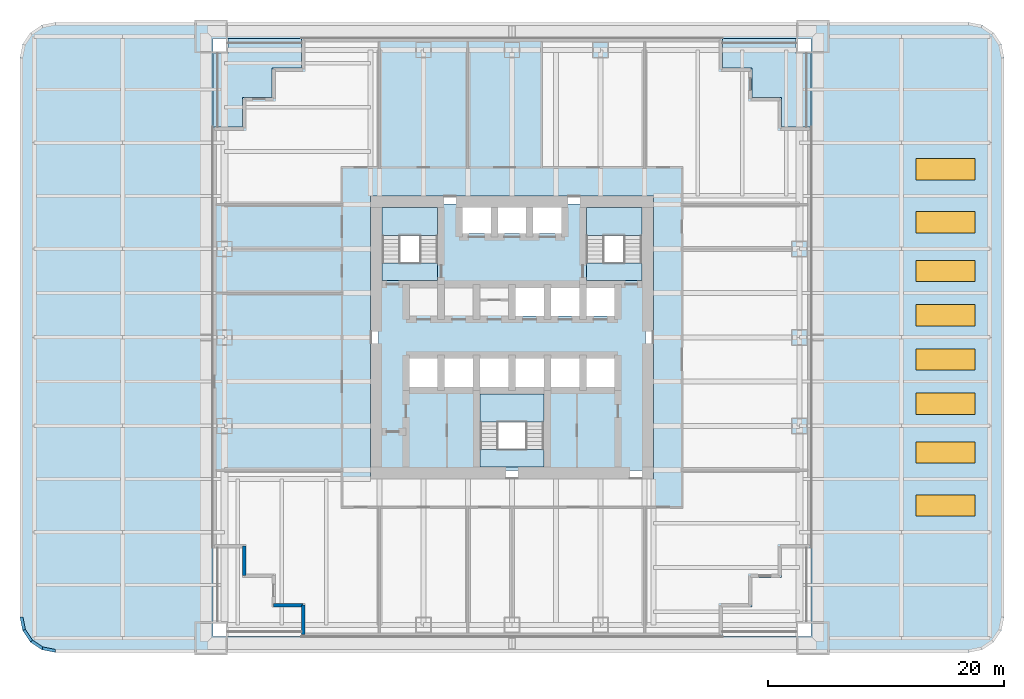
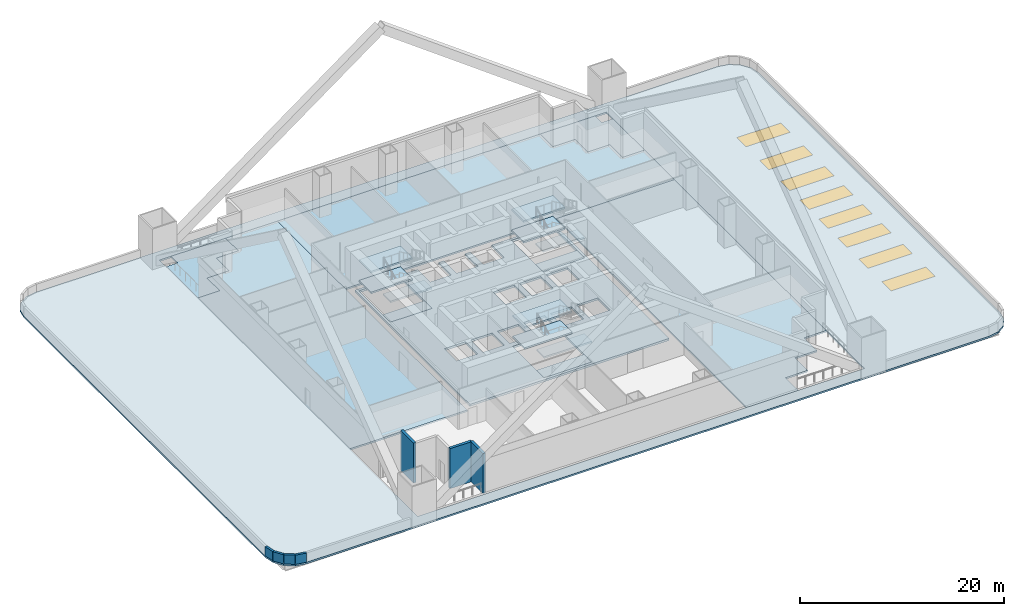
# One storey, part 3 of 10: 19 slabs, 8 windows, 7 walls, 8 openings, 3 elements without a shape of their own.
"""IFC4 building model written with IfcOpenShell, lengths in metres."""

from ifc_helpers import new_model, si_unit, direction, frame, frame_2d, origin, origin_2d, place, context, subcontext, project, spatial, polyline, rectangle, outline, extrude, material, layer, layer_set, type_object, element, fill, aggregate, save


model = new_model("IFC4")

# Units and contexts
model_context = context("Model", 3, precision=1e-05, world=origin(), true_north=direction((0.0, 1.0)))
body_context = subcontext(model_context, "Body", "Model", "MODEL_VIEW")
ifc_project = project(units=[si_unit("LENGTHUNIT", "METRE"), si_unit("AREAUNIT", "SQUARE_METRE"), si_unit("VOLUMEUNIT", "CUBIC_METRE"), si_unit("PLANEANGLEUNIT", "RADIAN"), si_unit("MASSUNIT", "GRAM", prefix="KILO")], contexts=[model_context])

# Site, building, storey
site_placement = place(None, origin())
site = spatial("IfcSite", under=ifc_project, at=site_placement, CompositionType="ELEMENT")
building_placement = place(site_placement, origin())
building = spatial("IfcBuilding", under=site, at=building_placement, Name="Tarangal Relay Tower", CompositionType="ELEMENT")
storey_placement = place(building_placement, frame((0.0, 0.0, 23.39990234375)))
storey = spatial("IfcBuildingStorey", under=building, at=storey_placement, Name="L04", CompositionType="ELEMENT", Elevation=23.39990234375)

# Slabs
ifc_material_1 = material(Name="Concrete fc' 35 MPa", Category="concrete")
ifc_layer_1 = layer(ifc_material_1, 0.25)
ifc_layer_set_1 = layer_set([ifc_layer_1], Name="Core floor slab 250")
slab_type_1 = type_object("IfcSlabType", Name="Core floor slab 250", PredefinedType="FLOOR", material=ifc_layer_set_1)
slab_1_placement = place(storey_placement, frame((0.0, 0.0, -0.25)))
element("IfcSlab", 1, at=slab_1_placement, inside=storey, type_object=slab_type_1, Name="Core floor slab L04", PredefinedType="FLOOR", context=body_context, shape_type="SweptSolid", body=[
    extrude(outline(polyline([(11.300048828125, 11.300048828125), (11.300048828125, -11.300048828125), (-11.300048828125, -11.300048828125), (-11.300048828125, 11.300048828125), (-4.199951171875, 11.300048828125), (-4.199951171875, 8.800048828125), (-1.800048828125, 8.800048828125), (-1.800048828125, 11.300048828125), (-1.199951171875, 11.300048828125), (-1.199951171875, 8.800048828125), (1.199951171875, 8.800048828125), (1.199951171875, 11.300048828125), (1.800048828125, 11.300048828125), (1.800048828125, 8.800048828125), (4.199951171875, 8.800048828125), (4.199951171875, 11.300048828125), (11.300048828125, 11.300048828125)]), holes=[polyline([(2.699951171875, -4.800048828125), (-2.699951171875, -4.800048828125), (-2.699951171875, -11.0), (2.699951171875, -11.0), (2.699951171875, -4.800048828125)]), polyline([(-6.300048828125, -4.199951171875), (-6.300048828125, -1.800048828125), (-8.699951171875, -1.800048828125), (-8.699951171875, -4.199951171875), (-6.300048828125, -4.199951171875)]), polyline([(-3.300048828125, -4.199951171875), (-3.300048828125, -1.800048828125), (-5.699951171875, -1.800048828125), (-5.699951171875, -4.199951171875), (-3.300048828125, -4.199951171875)]), polyline([(-0.300048828125, -4.199951171875), (-0.300048828125, -1.800048828125), (-2.699951171875, -1.800048828125), (-2.699951171875, -4.199951171875), (-0.300048828125, -4.199951171875)]), polyline([(2.699951171875, 1.800048828125), (2.699951171875, 4.199951171875), (0.300048828125, 4.199951171875), (0.300048828125, 1.800048828125), (2.699951171875, 1.800048828125)]), polyline([(-6.300048828125, 4.800048828125), (-6.300048828125, 11.0), (-11.0, 11.0), (-11.0, 4.800048828125), (-6.300048828125, 4.800048828125)]), polyline([(2.699951171875, -4.199951171875), (2.699951171875, -1.800048828125), (0.300048828125, -1.800048828125), (0.300048828125, -4.199951171875), (2.699951171875, -4.199951171875)]), polyline([(5.699951171875, -4.199951171875), (5.699951171875, -1.800048828125), (3.300048828125, -1.800048828125), (3.300048828125, -4.199951171875), (5.699951171875, -4.199951171875)]), polyline([(8.699951171875, -4.199951171875), (8.699951171875, -1.800048828125), (6.300048828125, -1.800048828125), (6.300048828125, -4.199951171875), (8.699951171875, -4.199951171875)]), polyline([(5.699951171875, 1.800048828125), (5.699951171875, 4.199951171875), (3.300048828125, 4.199951171875), (3.300048828125, 1.800048828125), (5.699951171875, 1.800048828125)]), polyline([(8.699951171875, 1.800048828125), (8.699951171875, 4.199951171875), (6.300048828125, 4.199951171875), (6.300048828125, 1.800048828125), (8.699951171875, 1.800048828125)]), polyline([(11.0, 4.800048828125), (11.0, 11.0), (6.300048828125, 11.0), (6.300048828125, 4.800048828125), (11.0, 4.800048828125)])]), origin(), (0.0, 0.0, 1.0), 0.25),
])
ifc_layer_2 = layer(ifc_material_1, 0.199951171875)
ifc_layer_set_2 = layer_set([ifc_layer_2], Name="Floor slab 200")
slab_type_2 = type_object("IfcSlabType", Name="Floor slab 200", PredefinedType="FLOOR", material=ifc_layer_set_2)
slab_2_placement = place(storey_placement, frame((0.0, 0.0, -0.199951171875)))
element("IfcSlab", 2, at=slab_2_placement, inside=storey, type_object=slab_type_2, Name="Floor slab FS2 L04 north bay", PredefinedType="FLOOR", context=body_context, shape_type="SweptSolid", body=[
    extrude(outline(polyline([(17.85009765625, 25.35009765625), (17.85009765625, 22.85009765625), (20.35009765625, 22.85009765625), (20.35009765625, 20.35009765625), (22.85009765625, 20.35009765625), (22.85009765625, 17.85009765625), (25.35009765625, 17.85009765625), (25.35009765625, 12.0), (-12.0, 12.0), (-12.0, 25.35009765625), (17.85009765625, 25.35009765625)])), origin(), (0.0, 0.0, 1.0), 0.199951171875),
])
slab_3_placement = place(storey_placement, frame((0.0, 0.0, -0.199951171875)))
element("IfcSlab", 3, at=slab_3_placement, inside=storey, type_object=slab_type_2, Name="Floor slab FS2 L04 east bay", PredefinedType="FLOOR", context=body_context, shape_type="SweptSolid", body=[
    extrude(outline(polyline([(25.35009765625, -17.85009765625), (22.85009765625, -17.85009765625), (22.85009765625, -20.35009765625), (20.35009765625, -20.35009765625), (20.35009765625, -22.85009765625), (17.85009765625, -22.85009765625), (17.85009765625, -25.35009765625), (12.0, -25.35009765625), (12.0, 12.0), (25.35009765625, 12.0), (25.35009765625, -17.85009765625)])), origin(), (0.0, 0.0, 1.0), 0.199951171875),
])
slab_4_placement = place(storey_placement, frame((0.0, 0.0, -0.199951171875)))
element("IfcSlab", 4, at=slab_4_placement, inside=storey, type_object=slab_type_2, Name="Floor slab FS2 L04 west bay", PredefinedType="FLOOR", context=body_context, shape_type="SweptSolid", body=[
    extrude(outline(polyline([(-12.0, 25.35009765625), (-12.0, -12.0), (-25.35009765625, -12.0), (-25.35009765625, 17.85009765625), (-22.85009765625, 17.85009765625), (-22.85009765625, 20.35009765625), (-20.35009765625, 20.35009765625), (-20.35009765625, 22.85009765625), (-17.85009765625, 22.85009765625), (-17.85009765625, 25.35009765625), (-12.0, 25.35009765625)])), origin(), (0.0, 0.0, 1.0), 0.199951171875),
])

# Slab, openings, windows
ifc_layer_3 = layer(ifc_material_1, 0.199951171875)
ifc_layer_set_3 = layer_set([ifc_layer_3], Name="Podium roof slab 200")
slab_type_3 = type_object("IfcSlabType", Name="Podium roof slab 200", PredefinedType="ROOF", material=ifc_layer_set_3)
slab_5_placement = place(storey_placement, frame((0.0, 0.0, -0.199951171875)))
slab_5 = element("IfcSlab", 5, at=slab_5_placement, inside=storey, type_object=slab_type_3, Name="Podium roof slab RS2", PredefinedType="ROOF", context=body_context, shape_type="SweptSolid", body=[
    extrude(outline(polyline([(41.699951171875, 23.699951171875), (41.4716796875, 24.84814453125), (40.8212890625, 25.8212890625), (39.84814453125, 26.4716796875), (38.699951171875, 26.699951171875), (-38.699951171875, 26.699951171875), (-39.84814453125, 26.4716796875), (-40.8212890625, 25.8212890625), (-41.4716796875, 24.84814453125), (-41.699951171875, 23.699951171875), (-41.699951171875, -23.699951171875), (-41.4716796875, -24.84814453125), (-40.8212890625, -25.8212890625), (-39.84814453125, -26.4716796875), (-38.699951171875, -26.699951171875), (38.699951171875, -26.699951171875), (39.84814453125, -26.4716796875), (40.8212890625, -25.8212890625), (41.4716796875, -24.84814453125), (41.699951171875, -23.699951171875), (41.699951171875, 23.699951171875)]), holes=[polyline([(-25.35009765625, -25.35009765625), (25.35009765625, -25.35009765625), (25.35009765625, 25.35009765625), (-25.35009765625, 25.35009765625), (-25.35009765625, -25.35009765625)])]), origin(), (0.0, 0.0, 1.0), 0.199951171875),
])
opening_1_placement = place(slab_5_placement, frame((36.75, -14.25, 0.0)))
opening_1 = element("IfcOpeningElement", 6, at=opening_1_placement, cuts=slab_5, Name="Opening SK1", PredefinedType="OPENING", context=body_context, shape_type="SweptSolid", body=[
    extrude(rectangle(XDim=5.0, YDim=1.800048828125, at=origin_2d()), frame((0.0, 0.0, -0.010009765625)), (0.0, 0.0, 1.0), 0.219970703125),
])
opening_2_placement = place(slab_5_placement, frame((36.75, -9.75, 0.0)))
opening_2 = element("IfcOpeningElement", 7, at=opening_2_placement, cuts=slab_5, Name="Opening SK1", PredefinedType="OPENING", context=body_context, shape_type="SweptSolid", body=[
    extrude(rectangle(XDim=5.0, YDim=1.800048828125, at=origin_2d()), frame((0.0, 0.0, -0.010009765625)), (0.0, 0.0, 1.0), 0.219970703125),
])
opening_3_placement = place(slab_5_placement, frame((36.75, -5.625, 0.0)))
opening_3 = element("IfcOpeningElement", 8, at=opening_3_placement, cuts=slab_5, Name="Opening SK1", PredefinedType="OPENING", context=body_context, shape_type="SweptSolid", body=[
    extrude(rectangle(XDim=5.0, YDim=1.800048828125, at=origin_2d()), frame((0.0, 0.0, -0.010009765625)), (0.0, 0.0, 1.0), 0.219970703125),
])
opening_4_placement = place(slab_5_placement, frame((36.75, -1.875, 0.0)))
opening_4 = element("IfcOpeningElement", 9, at=opening_4_placement, cuts=slab_5, Name="Opening SK1", PredefinedType="OPENING", context=body_context, shape_type="SweptSolid", body=[
    extrude(rectangle(XDim=5.0, YDim=1.800048828125, at=origin_2d()), frame((0.0, 0.0, -0.010009765625)), (0.0, 0.0, 1.0), 0.219970703125),
])
opening_5_placement = place(slab_5_placement, frame((36.75, 1.875, 0.0)))
opening_5 = element("IfcOpeningElement", 10, at=opening_5_placement, cuts=slab_5, Name="Opening SK1", PredefinedType="OPENING", context=body_context, shape_type="SweptSolid", body=[
    extrude(rectangle(XDim=5.0, YDim=1.800048828125, at=origin_2d()), frame((0.0, 0.0, -0.010009765625)), (0.0, 0.0, 1.0), 0.219970703125),
])
opening_6_placement = place(slab_5_placement, frame((36.75, 5.625, 0.0)))
opening_6 = element("IfcOpeningElement", 11, at=opening_6_placement, cuts=slab_5, Name="Opening SK1", PredefinedType="OPENING", context=body_context, shape_type="SweptSolid", body=[
    extrude(rectangle(XDim=5.0, YDim=1.800048828125, at=origin_2d()), frame((0.0, 0.0, -0.010009765625)), (0.0, 0.0, 1.0), 0.219970703125),
])
opening_7_placement = place(slab_5_placement, frame((36.75, 9.75, 0.0)))
opening_7 = element("IfcOpeningElement", 12, at=opening_7_placement, cuts=slab_5, Name="Opening SK1", PredefinedType="OPENING", context=body_context, shape_type="SweptSolid", body=[
    extrude(rectangle(XDim=5.0, YDim=1.800048828125, at=origin_2d()), frame((0.0, 0.0, -0.010009765625)), (0.0, 0.0, 1.0), 0.219970703125),
])
opening_8_placement = place(slab_5_placement, frame((36.75, 14.25, 0.0)))
opening_8 = element("IfcOpeningElement", 13, at=opening_8_placement, cuts=slab_5, Name="Opening SK1", PredefinedType="OPENING", context=body_context, shape_type="SweptSolid", body=[
    extrude(rectangle(XDim=5.0, YDim=1.800048828125, at=origin_2d()), frame((0.0, 0.0, -0.010009765625)), (0.0, 0.0, 1.0), 0.219970703125),
])
ifc_material_2 = material(Name="Dark tinted laminated glass", Category="glass")
window_type = type_object("IfcWindowType", Name="Skylight 5000 x 1800", PartitioningType="SINGLE_PANEL", PredefinedType="SKYLIGHT", material=ifc_material_2)
window_1_placement = place(opening_1_placement, frame((0.0, 0.0, 0.14990234375)))
window_1 = element("IfcWindow", 14, at=window_1_placement, inside=storey, type_object=window_type, Name="Atrium skylight SK1 1", OverallHeight=1.800048828125, OverallWidth=5.0, PartitioningType="SINGLE_PANEL", PredefinedType="SKYLIGHT", context=body_context, shape_type="SweptSolid", body=[
    extrude(rectangle(XDim=5.0, YDim=1.800048828125, at=origin_2d()), origin(), (0.0, 0.0, 1.0), 0.050048828125),
])
fill(opening_1, window_1)
window_2_placement = place(opening_2_placement, frame((0.0, 0.0, 0.14990234375)))
window_2 = element("IfcWindow", 15, at=window_2_placement, inside=storey, type_object=window_type, Name="Atrium skylight SK1 2", OverallHeight=1.800048828125, OverallWidth=5.0, PartitioningType="SINGLE_PANEL", PredefinedType="SKYLIGHT", context=body_context, shape_type="SweptSolid", body=[
    extrude(rectangle(XDim=5.0, YDim=1.800048828125, at=origin_2d()), origin(), (0.0, 0.0, 1.0), 0.050048828125),
])
fill(opening_2, window_2)
window_3_placement = place(opening_3_placement, frame((0.0, 0.0, 0.14990234375)))
window_3 = element("IfcWindow", 16, at=window_3_placement, inside=storey, type_object=window_type, Name="Atrium skylight SK1 3", OverallHeight=1.800048828125, OverallWidth=5.0, PartitioningType="SINGLE_PANEL", PredefinedType="SKYLIGHT", context=body_context, shape_type="SweptSolid", body=[
    extrude(rectangle(XDim=5.0, YDim=1.800048828125, at=origin_2d()), origin(), (0.0, 0.0, 1.0), 0.050048828125),
])
fill(opening_3, window_3)
window_4_placement = place(opening_4_placement, frame((0.0, 0.0, 0.14990234375)))
window_4 = element("IfcWindow", 17, at=window_4_placement, inside=storey, type_object=window_type, Name="Atrium skylight SK1 4", OverallHeight=1.800048828125, OverallWidth=5.0, PartitioningType="SINGLE_PANEL", PredefinedType="SKYLIGHT", context=body_context, shape_type="SweptSolid", body=[
    extrude(rectangle(XDim=5.0, YDim=1.800048828125, at=origin_2d()), origin(), (0.0, 0.0, 1.0), 0.050048828125),
])
fill(opening_4, window_4)
window_5_placement = place(opening_5_placement, frame((0.0, 0.0, 0.14990234375)))
window_5 = element("IfcWindow", 18, at=window_5_placement, inside=storey, type_object=window_type, Name="Atrium skylight SK1 5", OverallHeight=1.800048828125, OverallWidth=5.0, PartitioningType="SINGLE_PANEL", PredefinedType="SKYLIGHT", context=body_context, shape_type="SweptSolid", body=[
    extrude(rectangle(XDim=5.0, YDim=1.800048828125, at=origin_2d()), origin(), (0.0, 0.0, 1.0), 0.050048828125),
])
fill(opening_5, window_5)
window_6_placement = place(opening_6_placement, frame((0.0, 0.0, 0.14990234375)))
window_6 = element("IfcWindow", 19, at=window_6_placement, inside=storey, type_object=window_type, Name="Atrium skylight SK1 6", OverallHeight=1.800048828125, OverallWidth=5.0, PartitioningType="SINGLE_PANEL", PredefinedType="SKYLIGHT", context=body_context, shape_type="SweptSolid", body=[
    extrude(rectangle(XDim=5.0, YDim=1.800048828125, at=origin_2d()), origin(), (0.0, 0.0, 1.0), 0.050048828125),
])
fill(opening_6, window_6)
window_7_placement = place(opening_7_placement, frame((0.0, 0.0, 0.14990234375)))
window_7 = element("IfcWindow", 20, at=window_7_placement, inside=storey, type_object=window_type, Name="Atrium skylight SK1 7", OverallHeight=1.800048828125, OverallWidth=5.0, PartitioningType="SINGLE_PANEL", PredefinedType="SKYLIGHT", context=body_context, shape_type="SweptSolid", body=[
    extrude(rectangle(XDim=5.0, YDim=1.800048828125, at=origin_2d()), origin(), (0.0, 0.0, 1.0), 0.050048828125),
])
fill(opening_7, window_7)
window_8_placement = place(opening_8_placement, frame((0.0, 0.0, 0.14990234375)))
window_8 = element("IfcWindow", 21, at=window_8_placement, inside=storey, type_object=window_type, Name="Atrium skylight SK1 8", OverallHeight=1.800048828125, OverallWidth=5.0, PartitioningType="SINGLE_PANEL", PredefinedType="SKYLIGHT", context=body_context, shape_type="SweptSolid", body=[
    extrude(rectangle(XDim=5.0, YDim=1.800048828125, at=origin_2d()), origin(), (0.0, 0.0, 1.0), 0.050048828125),
])
fill(opening_8, window_8)

# Stair, slabs
ifc_material_3 = material(Name="Steel ASTM A992 stair flight", Category="steel")
stair_type = type_object("IfcStairType", Name="Core stair 1500", PredefinedType="HALF_TURN_STAIR", material=ifc_material_3)
stair_1_placement = place(storey_placement, origin())
stair_1 = element("IfcStair", 22, at=stair_1_placement, inside=storey, type_object=stair_type, Name="Stair ST-A L04", PredefinedType="HALF_TURN_STAIR")
ifc_layer_4 = layer(ifc_material_1, 0.199951171875)
ifc_layer_set_4 = layer_set([ifc_layer_4], Name="Stair landing 200")
slab_type_4 = type_object("IfcSlabType", Name="Stair landing 200", PredefinedType="LANDING", material=ifc_layer_set_4)
slab_6_placement = place(storey_placement, frame((0.0, 0.0, -0.199951171875)))
slab_6 = element("IfcSlab", 23, at=slab_6_placement, type_object=slab_type_4, Name="ST-A landing 1", PredefinedType="LANDING", context=body_context, shape_type="SweptSolid", body=[
    extrude(outline(polyline([(-11.0, 4.800048828125), (-6.300048828125, 4.800048828125), (-6.300048828125, 6.300048828125), (-11.0, 6.300048828125), (-11.0, 4.800048828125)])), origin(), (0.0, 0.0, 1.0), 0.199951171875),
])
slab_7_placement = place(storey_placement, frame((0.0, 0.0, 1.050048828125)))
slab_7 = element("IfcSlab", 24, at=slab_7_placement, type_object=slab_type_4, Name="ST-A landing 2", PredefinedType="LANDING", context=body_context, shape_type="SweptSolid", body=[
    extrude(outline(polyline([(-11.0, 8.64501953125), (-6.300048828125, 8.64501953125), (-6.300048828125, 11.0), (-11.0, 11.0), (-11.0, 8.64501953125)])), origin(), (0.0, 0.0, 1.0), 0.199951171875),
])
slab_8_placement = place(storey_placement, frame((0.0, 0.0, 2.300048828125)))
slab_8 = element("IfcSlab", 25, at=slab_8_placement, type_object=slab_type_4, Name="ST-A landing 3", PredefinedType="LANDING", context=body_context, shape_type="SweptSolid", body=[
    extrude(outline(polyline([(-11.0, 4.800048828125), (-6.300048828125, 4.800048828125), (-6.300048828125, 6.300048828125), (-11.0, 6.300048828125), (-11.0, 4.800048828125)])), origin(), (0.0, 0.0, 1.0), 0.199951171875),
])
slab_9_placement = place(storey_placement, frame((0.0, 0.0, 3.550048828125)))
slab_9 = element("IfcSlab", 26, at=slab_9_placement, type_object=slab_type_4, Name="ST-A landing 4", PredefinedType="LANDING", context=body_context, shape_type="SweptSolid", body=[
    extrude(outline(polyline([(-11.0, 8.64501953125), (-6.300048828125, 8.64501953125), (-6.300048828125, 11.0), (-11.0, 11.0), (-11.0, 8.64501953125)])), origin(), (0.0, 0.0, 1.0), 0.199951171875),
])
aggregate(stair_1, [slab_6, slab_7, slab_8, slab_9])

stair_2_placement = place(storey_placement, origin())
stair_2 = element("IfcStair", 27, at=stair_2_placement, inside=storey, type_object=stair_type, Name="Stair ST-B L04", PredefinedType="HALF_TURN_STAIR")
slab_10_placement = place(storey_placement, frame((0.0, 0.0, -0.199951171875)))
slab_10 = element("IfcSlab", 28, at=slab_10_placement, type_object=slab_type_4, Name="ST-B landing 1", PredefinedType="LANDING", context=body_context, shape_type="SweptSolid", body=[
    extrude(outline(polyline([(6.300048828125, 4.800048828125), (11.0, 4.800048828125), (11.0, 6.300048828125), (6.300048828125, 6.300048828125), (6.300048828125, 4.800048828125)])), origin(), (0.0, 0.0, 1.0), 0.199951171875),
])
slab_11_placement = place(storey_placement, frame((0.0, 0.0, 1.050048828125)))
slab_11 = element("IfcSlab", 29, at=slab_11_placement, type_object=slab_type_4, Name="ST-B landing 2", PredefinedType="LANDING", context=body_context, shape_type="SweptSolid", body=[
    extrude(outline(polyline([(6.300048828125, 8.64501953125), (11.0, 8.64501953125), (11.0, 11.0), (6.300048828125, 11.0), (6.300048828125, 8.64501953125)])), origin(), (0.0, 0.0, 1.0), 0.199951171875),
])
slab_12_placement = place(storey_placement, frame((0.0, 0.0, 2.300048828125)))
slab_12 = element("IfcSlab", 30, at=slab_12_placement, type_object=slab_type_4, Name="ST-B landing 3", PredefinedType="LANDING", context=body_context, shape_type="SweptSolid", body=[
    extrude(outline(polyline([(6.300048828125, 4.800048828125), (11.0, 4.800048828125), (11.0, 6.300048828125), (6.300048828125, 6.300048828125), (6.300048828125, 4.800048828125)])), origin(), (0.0, 0.0, 1.0), 0.199951171875),
])
slab_13_placement = place(storey_placement, frame((0.0, 0.0, 3.550048828125)))
slab_13 = element("IfcSlab", 31, at=slab_13_placement, type_object=slab_type_4, Name="ST-B landing 4", PredefinedType="LANDING", context=body_context, shape_type="SweptSolid", body=[
    extrude(outline(polyline([(6.300048828125, 8.64501953125), (11.0, 8.64501953125), (11.0, 11.0), (6.300048828125, 11.0), (6.300048828125, 8.64501953125)])), origin(), (0.0, 0.0, 1.0), 0.199951171875),
])
aggregate(stair_2, [slab_10, slab_11, slab_12, slab_13])

stair_3_placement = place(storey_placement, origin())
stair_3 = element("IfcStair", 32, at=stair_3_placement, inside=storey, type_object=stair_type, Name="Stair ST-C L04", PredefinedType="HALF_TURN_STAIR")
slab_14_placement = place(storey_placement, frame((0.0, 0.0, -0.199951171875)))
slab_14 = element("IfcSlab", 33, at=slab_14_placement, type_object=slab_type_4, Name="ST-C landing 1", PredefinedType="LANDING", context=body_context, shape_type="SweptSolid", body=[
    extrude(outline(polyline([(-2.699951171875, -11.0), (2.699951171875, -11.0), (2.699951171875, -9.5), (-2.699951171875, -9.5), (-2.699951171875, -11.0)])), origin(), (0.0, 0.0, 1.0), 0.199951171875),
])
slab_15_placement = place(storey_placement, frame((0.0, 0.0, 1.050048828125)))
slab_15 = element("IfcSlab", 34, at=slab_15_placement, type_object=slab_type_4, Name="ST-C landing 2", PredefinedType="LANDING", context=body_context, shape_type="SweptSolid", body=[
    extrude(outline(polyline([(-2.699951171875, -7.155029296875), (2.699951171875, -7.155029296875), (2.699951171875, -4.800048828125), (-2.699951171875, -4.800048828125), (-2.699951171875, -7.155029296875)])), origin(), (0.0, 0.0, 1.0), 0.199951171875),
])
slab_16_placement = place(storey_placement, frame((0.0, 0.0, 2.300048828125)))
slab_16 = element("IfcSlab", 35, at=slab_16_placement, type_object=slab_type_4, Name="ST-C landing 3", PredefinedType="LANDING", context=body_context, shape_type="SweptSolid", body=[
    extrude(outline(polyline([(-2.699951171875, -11.0), (2.699951171875, -11.0), (2.699951171875, -9.5), (-2.699951171875, -9.5), (-2.699951171875, -11.0)])), origin(), (0.0, 0.0, 1.0), 0.199951171875),
])
slab_17_placement = place(storey_placement, frame((0.0, 0.0, 3.550048828125)))
slab_17 = element("IfcSlab", 36, at=slab_17_placement, type_object=slab_type_4, Name="ST-C landing 4", PredefinedType="LANDING", context=body_context, shape_type="SweptSolid", body=[
    extrude(outline(polyline([(-2.699951171875, -7.155029296875), (2.699951171875, -7.155029296875), (2.699951171875, -4.800048828125), (-2.699951171875, -4.800048828125), (-2.699951171875, -7.155029296875)])), origin(), (0.0, 0.0, 1.0), 0.199951171875),
])
aggregate(stair_3, [slab_14, slab_15, slab_16, slab_17])

# Slabs
ifc_layer_5 = layer(ifc_material_1, 0.199951171875)
ifc_layer_set_5 = layer_set([ifc_layer_5], Name="Terrace slab 200")
slab_type_5 = type_object("IfcSlabType", Name="Terrace slab 200", PredefinedType="FLOOR", material=ifc_layer_set_5)
slab_18_placement = place(storey_placement, frame((0.0, 0.0, -0.199951171875)))
element("IfcSlab", 37, at=slab_18_placement, inside=storey, type_object=slab_type_5, Name="Corner terrace NE L04", PredefinedType="FLOOR", context=body_context, shape_type="SweptSolid", body=[
    extrude(outline(polyline([(17.85009765625, 25.35009765625), (17.85009765625, 22.85009765625), (20.35009765625, 22.85009765625), (20.35009765625, 20.35009765625), (22.85009765625, 20.35009765625), (22.85009765625, 17.85009765625), (25.35009765625, 17.85009765625), (25.35009765625, 24.050048828125), (24.050048828125, 24.050048828125), (24.050048828125, 25.35009765625), (17.85009765625, 25.35009765625)])), origin(), (0.0, 0.0, 1.0), 0.199951171875),
])
slab_19_placement = place(storey_placement, frame((0.0, 0.0, -0.199951171875)))
element("IfcSlab", 38, at=slab_19_placement, inside=storey, type_object=slab_type_5, Name="Corner terrace NW L04", PredefinedType="FLOOR", context=body_context, shape_type="SweptSolid", body=[
    extrude(outline(polyline([(-25.35009765625, 17.85009765625), (-22.85009765625, 17.85009765625), (-22.85009765625, 20.35009765625), (-20.35009765625, 20.35009765625), (-20.35009765625, 22.85009765625), (-17.85009765625, 22.85009765625), (-17.85009765625, 25.35009765625), (-24.050048828125, 25.35009765625), (-24.050048828125, 24.050048828125), (-25.35009765625, 24.050048828125), (-25.35009765625, 17.85009765625)])), origin(), (0.0, 0.0, 1.0), 0.199951171875),
])

# Walls
ifc_material_4 = material(Name="Insulated precast concrete fc' 40 MPa", Category="concrete")
ifc_layer_6 = layer(ifc_material_4, 0.300048828125)
ifc_layer_set_6 = layer_set([ifc_layer_6], Name="Insulated precast concrete fc' 40 MPa")
wall_type_1 = type_object("IfcWallType", Name="Facade wall precast 300", PredefinedType="SOLIDWALL", material=ifc_layer_set_6)
for number, where, z_axis, x_axis, name in (
    (39, (-17.699951171875, -25.199951171875, 0.0), (0.0, 0.0, 1.0), (0.0, 1.0, 0.0), "Facade wall S facade L04"),
    (40, (-17.699951171875, -22.699951171875, 0.0), (0.0, 0.0, 1.0), (-1.0, 0.0, 0.0), "Facade wall S facade L04"),
    (41, (-22.699951171875, -20.199951171875, 0.0), (0.0, 0.0, 1.0), (0.0, 1.0, 0.0), "Facade wall S facade L04"),
):
    element("IfcWall", number, at=place(storey_placement, frame(where, z_axis=z_axis, x_axis=x_axis)), inside=storey, type_object=wall_type_1, Name=name, PredefinedType="SOLIDWALL", context=body_context, shape_type="SweptSolid", body=[
        extrude(rectangle(XDim=2.5, YDim=0.300048828125, at=frame_2d((1.25, 0.0))), origin(), (0.0, 0.0, 1.0), 4.800048828125),
    ])
ifc_material_5 = material(Name="Concrete parapet with metal coping", Category="concrete")
ifc_layer_7 = layer(ifc_material_5, 0.25)
ifc_layer_set_7 = layer_set([ifc_layer_7], Name="Parapet 250")
wall_type_2 = type_object("IfcWallType", Name="Parapet 250", PredefinedType="PARAPET", material=ifc_layer_set_7)
for number, where, z_axis, x_axis, name in (
    (42, (-41.574951171875, -23.699951171875, 0.0), (0.0, 0.0, 1.0), (0.194986063374, -0.980806012976, 0.0), "Podium roof parapet PP1"),
    (43, (-41.356201171875, -24.80029296875, 0.0), (0.0, 0.0, 1.0), (0.555654132075, -0.831413546623, 0.0), "Podium roof parapet PP1"),
    (44, (-40.73291015625, -25.73291015625, 0.0), (0.0, 0.0, 1.0), (0.831413546623, -0.555654132075, 0.0), "Podium roof parapet PP1"),
    (45, (-39.80029296875, -26.356201171875, 0.0), (0.0, 0.0, 1.0), (0.980806012976, -0.194986063374, 0.0), "Podium roof parapet PP1"),
):
    element("IfcWall", number, at=place(storey_placement, frame(where, z_axis=z_axis, x_axis=x_axis)), inside=storey, type_object=wall_type_2, Name=name, PredefinedType="PARAPET", context=body_context, shape_type="SweptSolid", body=[
        extrude(rectangle(XDim=1.121826171875, YDim=0.25, at=frame_2d((0.56103515625, 0.0))), origin(), (0.0, 0.0, 1.0), 1.10009765625),
    ])

save(model, "model.ifc")
